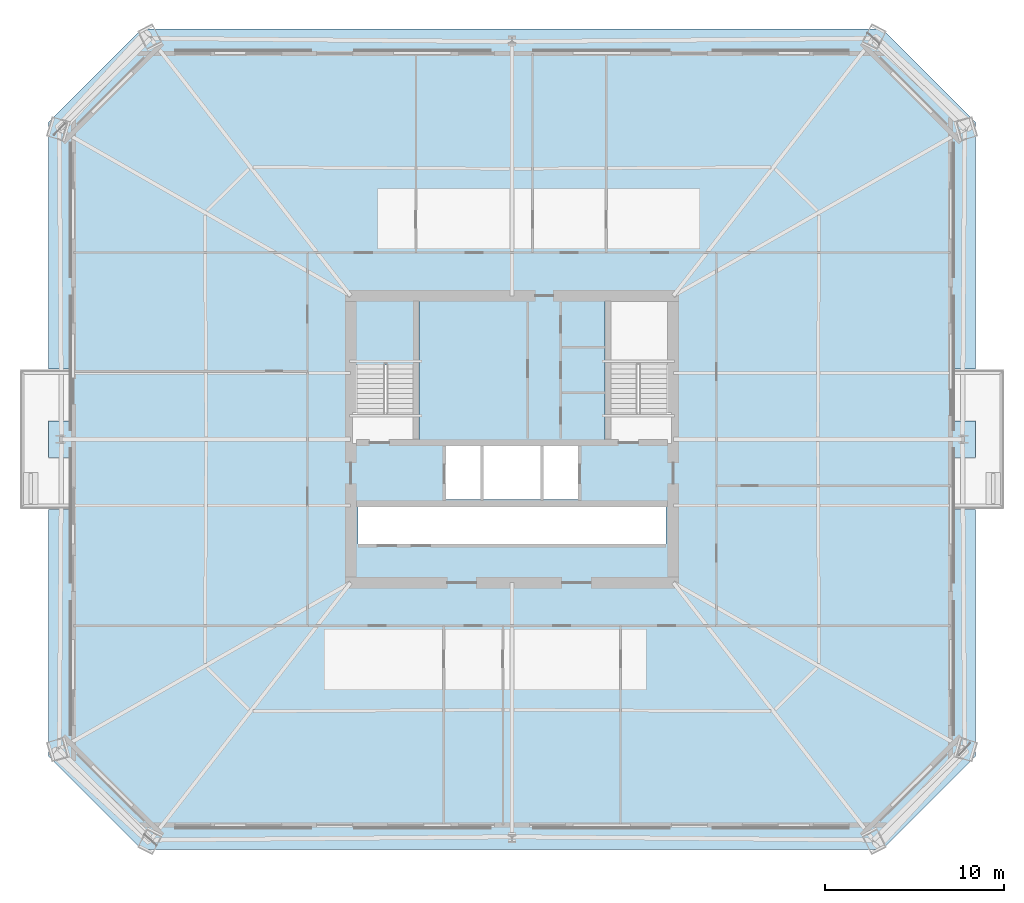
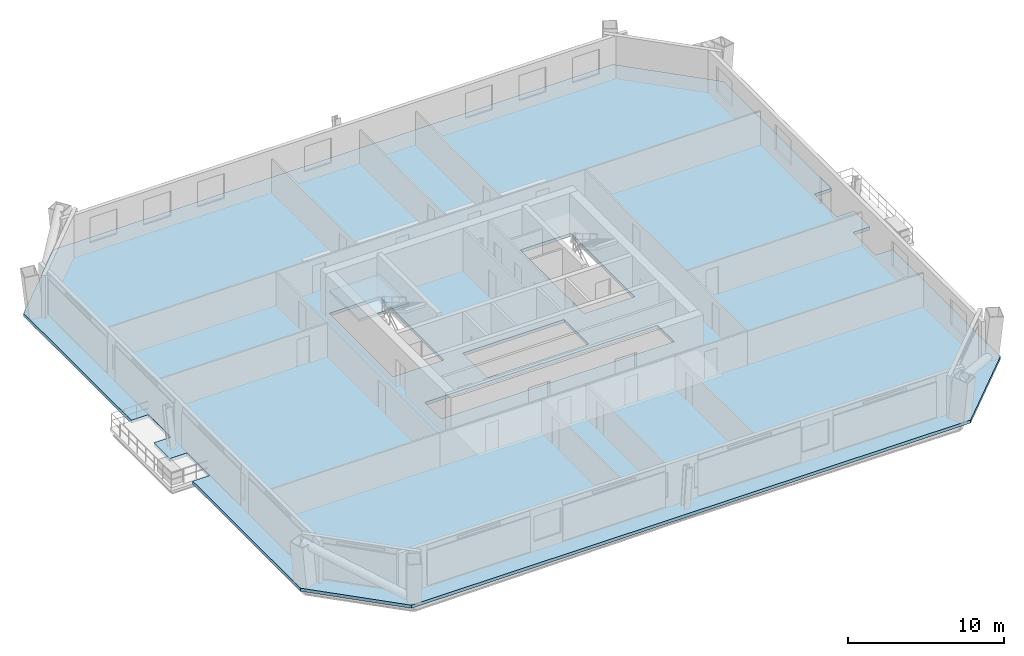
# One storey, part 3 of 11: 2 slabs, 1 element without a shape of its own.
"""IFC4 building model written with IfcOpenShell, lengths in metres."""

from ifc_helpers import new_model, si_unit, direction, frame, origin, place, context, subcontext, project, spatial, polyline, outline, extrude, material, layer, layer_set, type_object, element, aggregate, save


model = new_model("IFC4")

# Units and contexts
model_context = context("Model", 3, precision=1e-05, world=origin(), true_north=direction((0.0, 1.0)))
body_context = subcontext(model_context, "Body", "Model", "MODEL_VIEW")
ifc_project = project(units=[si_unit("LENGTHUNIT", "METRE"), si_unit("AREAUNIT", "SQUARE_METRE"), si_unit("VOLUMEUNIT", "CUBIC_METRE"), si_unit("PLANEANGLEUNIT", "RADIAN"), si_unit("MASSUNIT", "GRAM", prefix="KILO")], contexts=[model_context])

# Site, building, storey
site_placement = place(None, origin())
site = spatial("IfcSite", under=ifc_project, at=site_placement, CompositionType="ELEMENT")
building_placement = place(site_placement, origin())
building = spatial("IfcBuilding", under=site, at=building_placement, Name="Caelvoria Tower", CompositionType="ELEMENT")
storey_placement = place(building_placement, frame((0.0, 0.0, 67.60009765625)))
storey = spatial("IfcBuildingStorey", under=building, at=storey_placement, Name="L17", CompositionType="ELEMENT", Elevation=67.60009765625)

# Stair, slab
ifc_material = material(Name="Concrete C40/50", Category="concrete")
stair_type = type_object("IfcStairType", Name="Core Smokeproof Dogleg Stair Concrete C40/50", PredefinedType="HALF_TURN_STAIR", material=ifc_material)
stair_placement = place(storey_placement, origin())
stair = element("IfcStair", 1, at=stair_placement, inside=storey, type_object=stair_type, Name="ST-01 Smokeproof Exit Stair L17", PredefinedType="HALF_TURN_STAIR")
ifc_layer_1 = layer(ifc_material, 0.199951171875, Name="Concrete C40/50")
ifc_layer_set_1 = layer_set([ifc_layer_1], Name="Stair Half and Floor Landing Slab 200 Concrete C40/50 - Concrete C40/50")
slab_type_1 = type_object("IfcSlabType", Name="Stair Half and Floor Landing Slab 200 Concrete C40/50", PredefinedType="LANDING", material=ifc_layer_set_1)
slab_1_placement = place(storey_placement, frame((0.0, 0.0, 1.599853515625)))
slab_1 = element("IfcSlab", 2, at=slab_1_placement, type_object=slab_type_1, Name="ST-01 landing 2", PredefinedType="LANDING", context=body_context, shape_type="SweptSolid", body=[
    extrude(outline(polyline([(37.10009765625, 36.14990234375), (40.800048828125, 36.14990234375), (40.800048828125, 39.89990234375), (37.10009765625, 39.89990234375), (37.10009765625, 36.14990234375)])), origin(), (0.0, 0.0, 1.0), 0.199951171875),
])
aggregate(stair, [slab_1])

# Slab
ifc_layer_2 = layer(ifc_material, 0.239990234375, Name="Concrete C40/50")
ifc_layer_set_2 = layer_set([ifc_layer_2], Name="Tower Composite Office Slab 240 - Concrete C40/50")
slab_type_2 = type_object("IfcSlabType", Name="Tower Composite Office Slab 240", PredefinedType="FLOOR", material=ifc_layer_set_2)
slab_2_placement = place(storey_placement, frame((0.0, 0.0, -0.239990234375)))
element("IfcSlab", 3, at=slab_2_placement, inside=storey, type_object=slab_type_2, Name="Level L17 Structural Floor Slab", PredefinedType="FLOOR", context=body_context, shape_type="SweptSolid", body=[
    extrude(outline(polyline([(66.64990234375, 54.89990234375), (25.35009765625, 54.89990234375), (20.14990234375, 49.699951171875), (20.14990234375, 35.919921875), (21.409912109375, 35.919921875), (21.409912109375, 33.02001953125), (20.14990234375, 33.02001953125), (20.14990234375, 30.97998046875), (21.409912109375, 30.97998046875), (21.409912109375, 28.080078125), (20.14990234375, 28.080078125), (20.14990234375, 14.300048828125), (25.35009765625, 9.10009765625), (66.64990234375, 9.10009765625), (71.85009765625, 14.300048828125), (71.85009765625, 28.080078125), (70.590087890625, 28.080078125), (70.590087890625, 30.97998046875), (71.85009765625, 30.97998046875), (71.85009765625, 33.02001953125), (70.590087890625, 33.02001953125), (70.590087890625, 35.919921875), (71.85009765625, 35.919921875), (71.85009765625, 49.699951171875), (66.64990234375, 54.89990234375)]), holes=[polyline([(37.080078125, 31.75), (40.820068359375, 31.75), (40.820068359375, 39.919921875), (37.080078125, 39.919921875), (37.080078125, 31.75)]), polyline([(51.179931640625, 31.75), (54.919921875, 31.75), (54.919921875, 39.919921875), (51.179931640625, 39.919921875), (51.179931640625, 31.75)]), polyline([(42.25, 28.64990234375), (49.75, 28.64990234375), (49.75, 31.800048828125), (42.25, 31.800048828125), (42.25, 28.64990234375)]), polyline([(37.39990234375, 26.14990234375), (54.60009765625, 26.14990234375), (54.60009765625, 28.25), (37.39990234375, 28.25), (37.39990234375, 26.14990234375)])]), origin(), (0.0, 0.0, 1.0), 0.239990234375),
])

save(model, "model.ifc")
